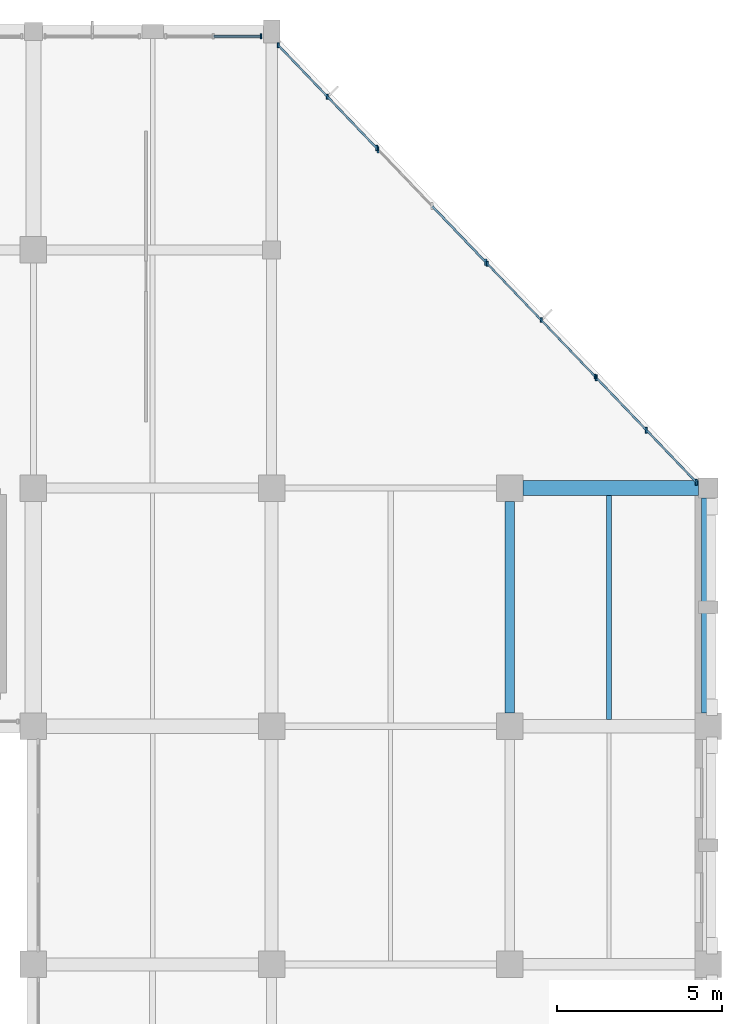
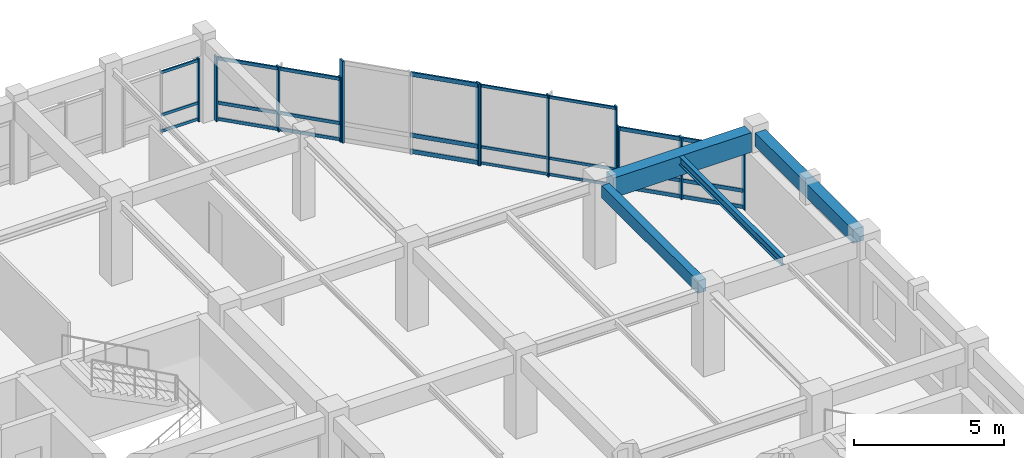
# One storey, part 41 of 74: 36 members, 4 beams, 5 elements without a shape of their own.
"""IFC4 building model written with IfcOpenShell, lengths in metres."""

from ifc_helpers import new_model, si_unit, direction, frame, origin, origin_2d, place, context, subcontext, project, spatial, rectangle, i_section, extrude, material, material_profile, profile_set, type_object, element, aggregate, save


model = new_model("IFC4")

# Units and contexts
model_context = context("Model", 3, precision=1e-05, world=origin(), true_north=direction((0.0, 1.0)))
body_context = subcontext(model_context, "Body", "Model", "MODEL_VIEW")
ifc_project = project(units=[si_unit("LENGTHUNIT", "METRE"), si_unit("AREAUNIT", "SQUARE_METRE"), si_unit("VOLUMEUNIT", "CUBIC_METRE"), si_unit("PLANEANGLEUNIT", "RADIAN"), si_unit("MASSUNIT", "GRAM", prefix="KILO")], contexts=[model_context])

# Site, building, storey
site_placement = place(None, origin())
site = spatial("IfcSite", under=ifc_project, at=site_placement, CompositionType="ELEMENT")
building_placement = place(site_placement, origin())
building = spatial("IfcBuilding", under=site, at=building_placement, Name="Clarverna Civic Hall", CompositionType="ELEMENT")
storey_placement = place(building_placement, frame((0.0, 0.0, 9.60009765625)))
storey = spatial("IfcBuildingStorey", under=building, at=storey_placement, Name="L02", CompositionType="ELEMENT", Elevation=9.60009765625)

# Beams
ifc_material_1 = material(Name="Concrete C35/45", Category="concrete")
ifc_material_profile_1 = material_profile(ifc_material_1, rectangle(XDim=0.300048828125, YDim=0.5, at=origin_2d()), Name="RC 300x500")
ifc_profile_set_1 = profile_set([ifc_material_profile_1], Name="Concrete C35/45")
beam_type_1 = type_object("IfcBeamType", Name="B-RC12", PredefinedType="BEAM", material=ifc_profile_set_1)
beam_1_placement = place(storey_placement, frame((162.0, 95.39990234375, 3.06982421875), z_axis=(0.0, 1.0, 0.0), x_axis=(-1.0, 0.0, 0.0)))
element("IfcBeam", 1, at=beam_1_placement, inside=storey, type_object=beam_type_1, Name="B-RC12-043", PredefinedType="BEAM", context=body_context, shape_type="SweptSolid", body=[
    extrude(rectangle(XDim=0.300048828125, YDim=0.5, at=origin_2d()), origin(), (0.0, 0.0, 1.0), 6.400146484375),
])
ifc_material_profile_2 = material_profile(ifc_material_1, rectangle(XDim=0.449951171875, YDim=0.800048828125, at=origin_2d()), Name="RC 450x800")
ifc_profile_set_2 = profile_set([ifc_material_profile_2], Name="Concrete C35/45")
beam_type_2 = type_object("IfcBeamType", Name="B-RC2", PredefinedType="BEAM", material=ifc_profile_set_2)
beam_2_placement = place(storey_placement, frame((162.39990234375, 102.199951171875, 2.919921875), z_axis=(1.0, 0.0, 0.0), x_axis=(0.0, 1.0, 0.0)))
element("IfcBeam", 2, at=beam_2_placement, inside=storey, type_object=beam_type_2, Name="B-RC2-026", PredefinedType="BEAM", context=body_context, shape_type="SweptSolid", body=[
    extrude(rectangle(XDim=0.449951171875, YDim=0.800048828125, at=origin_2d()), origin(), (0.0, 0.0, 1.0), 5.300048828125),
])
ifc_material_profile_3 = material_profile(ifc_material_1, rectangle(XDim=0.39990234375, YDim=0.56005859375, at=origin_2d()), Name="RC 400x560")
ifc_profile_set_3 = profile_set([ifc_material_profile_3], Name="Concrete C35/45")
beam_type_3 = type_object("IfcBeamType", Name="B-SP4", PredefinedType="SPANDREL", material=ifc_profile_set_3)
beam_3_placement = place(storey_placement, frame((168.0, 95.39990234375, 3.039794921875), z_axis=(0.0, 1.0, 0.0), x_axis=(-1.0, 0.0, 0.0)))
element("IfcBeam", 3, at=beam_3_placement, inside=storey, type_object=beam_type_3, Name="B-SP4-107", PredefinedType="SPANDREL", context=body_context, shape_type="SweptSolid", body=[
    extrude(rectangle(XDim=0.39990234375, YDim=0.56005859375, at=origin_2d()), origin(), (0.0, 0.0, 1.0), 6.5),
])

# Curtain wall, members
ifc_material_2 = material(Name="Anodised Bronze Architectural Aluminium", Category="aluminium")
curtain_wall_type = type_object("IfcCurtainWallType", Name="CW-01", PredefinedType="USERDEFINED", material=ifc_material_2)
curtain_wall_1_placement = place(storey_placement, origin())
curtain_wall_1 = element("IfcCurtainWall", 4, at=curtain_wall_1_placement, inside=storey, type_object=curtain_wall_type, Name="CW-01-043", ObjectType="UNITISED CURTAIN WALL", PredefinedType="USERDEFINED")
ifc_material_profile_4 = material_profile(ifc_material_2, rectangle(XDim=0.06005859375, YDim=0.179931640625, at=origin_2d()), Name="BRONZE 60x180")
ifc_profile_set_4 = profile_set([ifc_material_profile_4], Name="Anodised Bronze Architectural Aluminium")
member_type_1 = type_object("IfcMemberType", Name="CWM-01", PredefinedType="MULLION", material=ifc_profile_set_4)
member_1_placement = place(storey_placement, frame((164.62158203125, 105.529296875, 0.0), z_axis=(0.0, 0.0, 1.0), x_axis=(1.0, 0.0, 0.0)))
member_1 = element("IfcMember", 5, at=member_1_placement, type_object=member_type_1, Name="CWM-01-082", PredefinedType="MULLION", context=body_context, shape_type="SweptSolid", body=[
    extrude(rectangle(XDim=0.06005859375, YDim=0.179931640625, at=origin_2d()), origin(), (0.0, 0.0, 1.0), 2.52001953125),
])
member_2_placement = place(storey_placement, frame((166.12939453125, 103.952880859375, 0.0), z_axis=(0.0, 0.0, 1.0), x_axis=(1.0, 0.0, 0.0)))
member_2 = element("IfcMember", 6, at=member_2_placement, type_object=member_type_1, Name="CWM-01-083", PredefinedType="MULLION", context=body_context, shape_type="SweptSolid", body=[
    extrude(rectangle(XDim=0.06005859375, YDim=0.179931640625, at=origin_2d()), origin(), (0.0, 0.0, 1.0), 2.52001953125),
])
member_3_placement = place(storey_placement, frame((167.63720703125, 102.376708984375, 0.0), z_axis=(0.0, 0.0, 1.0), x_axis=(1.0, 0.0, 0.0)))
member_3 = element("IfcMember", 7, at=member_3_placement, type_object=member_type_1, Name="CWM-01-084", PredefinedType="MULLION", context=body_context, shape_type="SweptSolid", body=[
    extrude(rectangle(XDim=0.06005859375, YDim=0.179931640625, at=origin_2d()), origin(), (0.0, 0.0, 1.0), 2.52001953125),
])

curtain_wall_2_placement = place(storey_placement, origin())
curtain_wall_2 = element("IfcCurtainWall", 8, at=curtain_wall_2_placement, inside=storey, type_object=curtain_wall_type, Name="CW-01-040", ObjectType="UNITISED CURTAIN WALL", PredefinedType="USERDEFINED")
ifc_material_profile_5 = material_profile(ifc_material_2, rectangle(XDim=0.06005859375, YDim=0.159912109375, at=origin_2d()), Name="BRONZE 60x160")
ifc_profile_set_5 = profile_set([ifc_material_profile_5], Name="Anodised Bronze Architectural Aluminium")
member_type_2 = type_object("IfcMemberType", Name="CWM-02", PredefinedType="MULLION", material=ifc_profile_set_5)
member_4_placement = place(storey_placement, frame((155.002197265625, 115.586181640625, 0.0), z_axis=(0.0, 0.0, 1.0), x_axis=(1.0, 0.0, 0.0)))
member_4 = element("IfcMember", 9, at=member_4_placement, type_object=member_type_2, Name="CWM-02-107", PredefinedType="MULLION", context=body_context, shape_type="SweptSolid", body=[
    extrude(rectangle(XDim=0.06005859375, YDim=0.159912109375, at=origin_2d()), origin(), (0.0, 0.0, 1.0), 2.639892578125),
])
member_5_placement = place(storey_placement, frame((156.489013671875, 114.031494140625, 0.0), z_axis=(0.0, 0.0, 1.0), x_axis=(1.0, 0.0, 0.0)))
member_5 = element("IfcMember", 10, at=member_5_placement, type_object=member_type_2, Name="CWM-02-108", PredefinedType="MULLION", context=body_context, shape_type="SweptSolid", body=[
    extrude(rectangle(XDim=0.06005859375, YDim=0.159912109375, at=origin_2d()), origin(), (0.0, 0.0, 1.0), 2.639892578125),
])
member_6_placement = place(storey_placement, frame((157.97607421875, 112.47705078125, 0.0), z_axis=(0.0, 0.0, 1.0), x_axis=(1.0, 0.0, 0.0)))
member_6 = element("IfcMember", 11, at=member_6_placement, type_object=member_type_2, Name="CWM-02-109", PredefinedType="MULLION", context=body_context, shape_type="SweptSolid", body=[
    extrude(rectangle(XDim=0.06005859375, YDim=0.159912109375, at=origin_2d()), origin(), (0.0, 0.0, 1.0), 2.639892578125),
])

curtain_wall_3_placement = place(storey_placement, origin())
curtain_wall_3 = element("IfcCurtainWall", 12, at=curtain_wall_3_placement, inside=storey, type_object=curtain_wall_type, Name="CW-01-041", ObjectType="UNITISED CURTAIN WALL", PredefinedType="USERDEFINED")
ifc_material_profile_6 = material_profile(ifc_material_2, rectangle(XDim=0.06494140625, YDim=0.199951171875, at=origin_2d()), Name="BRONZE 65x200")
ifc_profile_set_6 = profile_set([ifc_material_profile_6], Name="Anodised Bronze Architectural Aluminium")
member_type_3 = type_object("IfcMemberType", Name="CWM-03", PredefinedType="MULLION", material=ifc_profile_set_6)
member_7_placement = place(storey_placement, frame((158.021484375, 112.429443359375, 0.0), z_axis=(0.0, 0.0, 1.0), x_axis=(1.0, 0.0, 0.0)))
member_7 = element("IfcMember", 13, at=member_7_placement, type_object=member_type_3, Name="CWM-03-082", PredefinedType="MULLION", context=body_context, shape_type="SweptSolid", body=[
    extrude(rectangle(XDim=0.06494140625, YDim=0.199951171875, at=origin_2d()), origin(), (0.0, 0.0, 1.0), 3.31982421875),
])
member_8_placement = place(storey_placement, frame((161.27587890625, 109.027099609375, 0.0), z_axis=(0.0, 0.0, 1.0), x_axis=(1.0, 0.0, 0.0)))
member_8 = element("IfcMember", 14, at=member_8_placement, type_object=member_type_3, Name="CWM-03-084", PredefinedType="MULLION", context=body_context, shape_type="SweptSolid", body=[
    extrude(rectangle(XDim=0.06494140625, YDim=0.199951171875, at=origin_2d()), origin(), (0.0, 0.0, 1.0), 3.31982421875),
])

# Curtain wall, member
curtain_wall_4_placement = place(storey_placement, origin())
curtain_wall_4 = element("IfcCurtainWall", 15, at=curtain_wall_4_placement, inside=storey, type_object=curtain_wall_type, Name="CW-01-039", ObjectType="UNITISED CURTAIN WALL", PredefinedType="USERDEFINED")
ifc_material_profile_7 = material_profile(ifc_material_2, rectangle(XDim=0.054931640625, YDim=0.139892578125, at=origin_2d()), Name="BRONZE 55x140")
ifc_profile_set_7 = profile_set([ifc_material_profile_7], Name="Anodised Bronze Architectural Aluminium")
member_type_4 = type_object("IfcMemberType", Name="CWM-04", PredefinedType="MULLION", material=ifc_profile_set_7)
member_9_placement = place(storey_placement, frame((154.47705078125, 115.860107421875, 0.0), z_axis=(0.0, 0.0, 1.0), x_axis=(1.0, 0.0, 0.0)))
member_9 = element("IfcMember", 16, at=member_9_placement, type_object=member_type_4, Name="CWM-04-110", PredefinedType="MULLION", context=body_context, shape_type="SweptSolid", body=[
    extrude(rectangle(XDim=0.054931640625, YDim=0.139892578125, at=origin_2d()), origin(), (0.0, 0.0, 1.0), 2.56982421875),
])

# Curtain wall, members
curtain_wall_5_placement = place(storey_placement, origin())
curtain_wall_5 = element("IfcCurtainWall", 17, at=curtain_wall_5_placement, inside=storey, type_object=curtain_wall_type, Name="CW-01-042", ObjectType="UNITISED CURTAIN WALL", PredefinedType="USERDEFINED")
member_10_placement = place(storey_placement, frame((161.321533203125, 108.9794921875, 0.0), z_axis=(0.0, 0.0, 1.0), x_axis=(1.0, 0.0, 0.0)))
member_10 = element("IfcMember", 18, at=member_10_placement, type_object=member_type_4, Name="CWM-04-111", PredefinedType="MULLION", context=body_context, shape_type="SweptSolid", body=[
    extrude(rectangle(XDim=0.054931640625, YDim=0.139892578125, at=origin_2d()), origin(), (0.0, 0.0, 1.0), 3.31982421875),
])
member_11_placement = place(storey_placement, frame((162.94873046875, 107.2783203125, 0.0), z_axis=(0.0, 0.0, 1.0), x_axis=(1.0, 0.0, 0.0)))
member_11 = element("IfcMember", 19, at=member_11_placement, type_object=member_type_4, Name="CWM-04-112", PredefinedType="MULLION", context=body_context, shape_type="SweptSolid", body=[
    extrude(rectangle(XDim=0.054931640625, YDim=0.139892578125, at=origin_2d()), origin(), (0.0, 0.0, 1.0), 3.31982421875),
])
member_12_placement = place(storey_placement, frame((164.575927734375, 105.576904296875, 0.0), z_axis=(0.0, 0.0, 1.0), x_axis=(1.0, 0.0, 0.0)))
member_12 = element("IfcMember", 20, at=member_12_placement, type_object=member_type_4, Name="CWM-04-113", PredefinedType="MULLION", context=body_context, shape_type="SweptSolid", body=[
    extrude(rectangle(XDim=0.054931640625, YDim=0.139892578125, at=origin_2d()), origin(), (0.0, 0.0, 1.0), 3.31982421875),
])

# Member
ifc_material_profile_8 = material_profile(ifc_material_2, rectangle(XDim=0.06005859375, YDim=0.14990234375, at=origin_2d()), Name="BRONZE 60x150")
ifc_profile_set_8 = profile_set([ifc_material_profile_8], Name="Anodised Bronze Architectural Aluminium")
member_type_5 = type_object("IfcMemberType", Name="CWT-01", PredefinedType="USERDEFINED", material=ifc_profile_set_8)
member_13_placement = place(storey_placement, frame((164.632080078125, 105.5185546875, 0.094970703125), z_axis=(0.691155646776, -0.722705937384, 0.0), x_axis=(0.722705937384, 0.691155646776, 0.0)))
member_13 = element("IfcMember", 21, at=member_13_placement, type_object=member_type_5, Name="CWT-01-172", ObjectType="TRANSOM", PredefinedType="USERDEFINED", context=body_context, shape_type="SweptSolid", body=[
    extrude(rectangle(XDim=0.06005859375, YDim=0.14990234375, at=origin_2d()), origin(), (0.0, 0.0, 1.0), 2.151123046875),
])

member_14_placement = place(storey_placement, frame((164.632080078125, 105.5185546875, 0.75), z_axis=(0.691155646776, -0.722705937384, 0.0), x_axis=(0.722705937384, 0.691155646776, 0.0)))
member_14 = element("IfcMember", 22, at=member_14_placement, type_object=member_type_5, Name="CWT-01-173", ObjectType="TRANSOM", PredefinedType="USERDEFINED", context=body_context, shape_type="SweptSolid", body=[
    extrude(rectangle(XDim=0.06005859375, YDim=0.14990234375, at=origin_2d()), origin(), (0.0, 0.0, 1.0), 2.151123046875),
])

member_15_placement = place(storey_placement, frame((164.632080078125, 105.5185546875, 2.4248046875), z_axis=(0.691155646776, -0.722705937384, 0.0), x_axis=(0.722705937384, 0.691155646776, 0.0)))
member_15 = element("IfcMember", 23, at=member_15_placement, type_object=member_type_5, Name="CWT-01-174", ObjectType="TRANSOM", PredefinedType="USERDEFINED", context=body_context, shape_type="SweptSolid", body=[
    extrude(rectangle(XDim=0.06005859375, YDim=0.14990234375, at=origin_2d()), origin(), (0.0, 0.0, 1.0), 2.151123046875),
])

member_16_placement = place(storey_placement, frame((166.139892578125, 103.942138671875, 0.094970703125), z_axis=(0.691155646776, -0.722705937384, 0.0), x_axis=(0.722705937384, 0.691155646776, 0.0)))
member_16 = element("IfcMember", 24, at=member_16_placement, type_object=member_type_5, Name="CWT-01-175", ObjectType="TRANSOM", PredefinedType="USERDEFINED", context=body_context, shape_type="SweptSolid", body=[
    extrude(rectangle(XDim=0.06005859375, YDim=0.14990234375, at=origin_2d()), origin(), (0.0, 0.0, 1.0), 2.151123046875),
])

member_17_placement = place(storey_placement, frame((166.139892578125, 103.942138671875, 0.75), z_axis=(0.691155646776, -0.722705937384, 0.0), x_axis=(0.722705937384, 0.691155646776, 0.0)))
member_17 = element("IfcMember", 25, at=member_17_placement, type_object=member_type_5, Name="CWT-01-176", ObjectType="TRANSOM", PredefinedType="USERDEFINED", context=body_context, shape_type="SweptSolid", body=[
    extrude(rectangle(XDim=0.06005859375, YDim=0.14990234375, at=origin_2d()), origin(), (0.0, 0.0, 1.0), 2.151123046875),
])

member_18_placement = place(storey_placement, frame((166.139892578125, 103.942138671875, 2.4248046875), z_axis=(0.691155646776, -0.722705937384, 0.0), x_axis=(0.722705937384, 0.691155646776, 0.0)))
member_18 = element("IfcMember", 26, at=member_18_placement, type_object=member_type_5, Name="CWT-01-177", ObjectType="TRANSOM", PredefinedType="USERDEFINED", context=body_context, shape_type="SweptSolid", body=[
    extrude(rectangle(XDim=0.06005859375, YDim=0.14990234375, at=origin_2d()), origin(), (0.0, 0.0, 1.0), 2.151123046875),
])

aggregate(curtain_wall_1, [member_1, member_2, member_3, member_13, member_14, member_15, member_16, member_17, member_18])

ifc_material_profile_9 = material_profile(ifc_material_2, rectangle(XDim=0.06005859375, YDim=0.1298828125, at=origin_2d()), Name="BRONZE 60x130")
ifc_profile_set_9 = profile_set([ifc_material_profile_9], Name="Anodised Bronze Architectural Aluminium")
member_type_6 = type_object("IfcMemberType", Name="CWT-02", PredefinedType="USERDEFINED", material=ifc_profile_set_9)
member_19_placement = place(storey_placement, frame((155.012451171875, 115.575439453125, 0.094970703125), z_axis=(0.691222645967, -0.722641857148, 0.0), x_axis=(0.722641857148, 0.691222645967, 0.0)))
member_19 = element("IfcMember", 27, at=member_19_placement, type_object=member_type_6, Name="CWT-02-223", ObjectType="TRANSOM", PredefinedType="USERDEFINED", context=body_context, shape_type="SweptSolid", body=[
    extrude(rectangle(XDim=0.06005859375, YDim=0.1298828125, at=origin_2d()), origin(), (0.0, 0.0, 1.0), 2.121337890625),
])

member_20_placement = place(storey_placement, frame((155.012451171875, 115.575439453125, 0.75), z_axis=(0.691222645967, -0.722641857148, 0.0), x_axis=(0.722641857148, 0.691222645967, 0.0)))
member_20 = element("IfcMember", 28, at=member_20_placement, type_object=member_type_6, Name="CWT-02-224", ObjectType="TRANSOM", PredefinedType="USERDEFINED", context=body_context, shape_type="SweptSolid", body=[
    extrude(rectangle(XDim=0.06005859375, YDim=0.1298828125, at=origin_2d()), origin(), (0.0, 0.0, 1.0), 2.121337890625),
])

member_21_placement = place(storey_placement, frame((155.012451171875, 115.575439453125, 2.544921875), z_axis=(0.691222645967, -0.722641857148, 0.0), x_axis=(0.722641857148, 0.691222645967, 0.0)))
member_21 = element("IfcMember", 29, at=member_21_placement, type_object=member_type_6, Name="CWT-02-225", ObjectType="TRANSOM", PredefinedType="USERDEFINED", context=body_context, shape_type="SweptSolid", body=[
    extrude(rectangle(XDim=0.06005859375, YDim=0.1298828125, at=origin_2d()), origin(), (0.0, 0.0, 1.0), 2.121337890625),
])

member_22_placement = place(storey_placement, frame((156.49951171875, 114.020751953125, 0.094970703125), z_axis=(0.691162538188, -0.722699346758, 0.0), x_axis=(0.722699346758, 0.691162538188, 0.0)))
member_22 = element("IfcMember", 30, at=member_22_placement, type_object=member_type_6, Name="CWT-02-226", ObjectType="TRANSOM", PredefinedType="USERDEFINED", context=body_context, shape_type="SweptSolid", body=[
    extrude(rectangle(XDim=0.06005859375, YDim=0.1298828125, at=origin_2d()), origin(), (0.0, 0.0, 1.0), 2.12109375),
])

member_23_placement = place(storey_placement, frame((156.49951171875, 114.020751953125, 0.75), z_axis=(0.691162538188, -0.722699346758, 0.0), x_axis=(0.722699346758, 0.691162538188, 0.0)))
member_23 = element("IfcMember", 31, at=member_23_placement, type_object=member_type_6, Name="CWT-02-227", ObjectType="TRANSOM", PredefinedType="USERDEFINED", context=body_context, shape_type="SweptSolid", body=[
    extrude(rectangle(XDim=0.06005859375, YDim=0.1298828125, at=origin_2d()), origin(), (0.0, 0.0, 1.0), 2.12109375),
])

member_24_placement = place(storey_placement, frame((156.49951171875, 114.020751953125, 2.544921875), z_axis=(0.691162538188, -0.722699346758, 0.0), x_axis=(0.722699346758, 0.691162538188, 0.0)))
member_24 = element("IfcMember", 32, at=member_24_placement, type_object=member_type_6, Name="CWT-02-228", ObjectType="TRANSOM", PredefinedType="USERDEFINED", context=body_context, shape_type="SweptSolid", body=[
    extrude(rectangle(XDim=0.06005859375, YDim=0.1298828125, at=origin_2d()), origin(), (0.0, 0.0, 1.0), 2.12109375),
])

aggregate(curtain_wall_2, [member_4, member_5, member_6, member_19, member_20, member_21, member_22, member_23, member_24])

ifc_material_profile_10 = material_profile(ifc_material_2, rectangle(XDim=0.06494140625, YDim=0.169921875, at=origin_2d()), Name="BRONZE 65x170")
ifc_profile_set_10 = profile_set([ifc_material_profile_10], Name="Anodised Bronze Architectural Aluminium")
member_type_7 = type_object("IfcMemberType", Name="CWT-03", PredefinedType="USERDEFINED", material=ifc_profile_set_10)
member_25_placement = place(storey_placement, frame((159.6591796875, 110.71728515625, 0.094970703125), z_axis=(0.691227416228, -0.72263729426, 0.0), x_axis=(0.72263729426, 0.691227416228, 0.0)))
member_25 = element("IfcMember", 33, at=member_25_placement, type_object=member_type_7, Name="CWT-03-175", ObjectType="TRANSOM", PredefinedType="USERDEFINED", context=body_context, shape_type="SweptSolid", body=[
    extrude(rectangle(XDim=0.06494140625, YDim=0.169921875, at=origin_2d()), origin(), (0.0, 0.0, 1.0), 2.323974609375),
])

member_26_placement = place(storey_placement, frame((159.6591796875, 110.71728515625, 0.75), z_axis=(0.691227416228, -0.72263729426, 0.0), x_axis=(0.72263729426, 0.691227416228, 0.0)))
member_26 = element("IfcMember", 34, at=member_26_placement, type_object=member_type_7, Name="CWT-03-176", ObjectType="TRANSOM", PredefinedType="USERDEFINED", context=body_context, shape_type="SweptSolid", body=[
    extrude(rectangle(XDim=0.06494140625, YDim=0.169921875, at=origin_2d()), origin(), (0.0, 0.0, 1.0), 2.323974609375),
])

member_27_placement = place(storey_placement, frame((159.6591796875, 110.71728515625, 3.224853515625), z_axis=(0.691227416228, -0.72263729426, 0.0), x_axis=(0.72263729426, 0.691227416228, 0.0)))
member_27 = element("IfcMember", 35, at=member_27_placement, type_object=member_type_7, Name="CWT-03-177", ObjectType="TRANSOM", PredefinedType="USERDEFINED", context=body_context, shape_type="SweptSolid", body=[
    extrude(rectangle(XDim=0.06494140625, YDim=0.169921875, at=origin_2d()), origin(), (0.0, 0.0, 1.0), 2.323974609375),
])

aggregate(curtain_wall_3, [member_7, member_8, member_25, member_26, member_27])

ifc_material_profile_11 = material_profile(ifc_material_2, rectangle(XDim=0.054931640625, YDim=0.110107421875, at=origin_2d()), Name="BRONZE 55x110")
ifc_profile_set_11 = profile_set([ifc_material_profile_11], Name="Anodised Bronze Architectural Aluminium")
member_type_8 = type_object("IfcMemberType", Name="CWT-04", PredefinedType="USERDEFINED", material=ifc_profile_set_11)
member_28_placement = place(storey_placement, frame((153.052490234375, 115.860107421875, 0.094970703125), z_axis=(1.0, 0.0, 0.0), x_axis=(0.0, 1.0, 0.0)))
member_28 = element("IfcMember", 36, at=member_28_placement, type_object=member_type_8, Name="CWT-04-229", ObjectType="TRANSOM", PredefinedType="USERDEFINED", context=body_context, shape_type="SweptSolid", body=[
    extrude(rectangle(XDim=0.054931640625, YDim=0.110107421875, at=origin_2d()), origin(), (0.0, 0.0, 1.0), 1.409423828125),
])

member_29_placement = place(storey_placement, frame((153.052490234375, 115.860107421875, 0.75), z_axis=(1.0, 0.0, 0.0), x_axis=(0.0, 1.0, 0.0)))
member_29 = element("IfcMember", 37, at=member_29_placement, type_object=member_type_8, Name="CWT-04-230", ObjectType="TRANSOM", PredefinedType="USERDEFINED", context=body_context, shape_type="SweptSolid", body=[
    extrude(rectangle(XDim=0.054931640625, YDim=0.110107421875, at=origin_2d()), origin(), (0.0, 0.0, 1.0), 1.409423828125),
])

member_30_placement = place(storey_placement, frame((153.052490234375, 115.860107421875, 2.474853515625), z_axis=(1.0, 0.0, 0.0), x_axis=(0.0, 1.0, 0.0)))
member_30 = element("IfcMember", 38, at=member_30_placement, type_object=member_type_8, Name="CWT-04-231", ObjectType="TRANSOM", PredefinedType="USERDEFINED", context=body_context, shape_type="SweptSolid", body=[
    extrude(rectangle(XDim=0.054931640625, YDim=0.110107421875, at=origin_2d()), origin(), (0.0, 0.0, 1.0), 1.409423828125),
])

aggregate(curtain_wall_4, [member_9, member_28, member_29, member_30])

member_31_placement = place(storey_placement, frame((161.33203125, 108.968505859375, 0.094970703125), z_axis=(0.691227416228, -0.72263729426, 0.0), x_axis=(0.72263729426, 0.691227416228, 0.0)))
member_31 = element("IfcMember", 39, at=member_31_placement, type_object=member_type_8, Name="CWT-04-232", ObjectType="TRANSOM", PredefinedType="USERDEFINED", context=body_context, shape_type="SweptSolid", body=[
    extrude(rectangle(XDim=0.054931640625, YDim=0.110107421875, at=origin_2d()), origin(), (0.0, 0.0, 1.0), 2.323974609375),
])

member_32_placement = place(storey_placement, frame((161.33203125, 108.968505859375, 0.75), z_axis=(0.691227416228, -0.72263729426, 0.0), x_axis=(0.72263729426, 0.691227416228, 0.0)))
member_32 = element("IfcMember", 40, at=member_32_placement, type_object=member_type_8, Name="CWT-04-233", ObjectType="TRANSOM", PredefinedType="USERDEFINED", context=body_context, shape_type="SweptSolid", body=[
    extrude(rectangle(XDim=0.054931640625, YDim=0.110107421875, at=origin_2d()), origin(), (0.0, 0.0, 1.0), 2.323974609375),
])

member_33_placement = place(storey_placement, frame((161.33203125, 108.968505859375, 3.224853515625), z_axis=(0.691227416228, -0.72263729426, 0.0), x_axis=(0.72263729426, 0.691227416228, 0.0)))
member_33 = element("IfcMember", 41, at=member_33_placement, type_object=member_type_8, Name="CWT-04-234", ObjectType="TRANSOM", PredefinedType="USERDEFINED", context=body_context, shape_type="SweptSolid", body=[
    extrude(rectangle(XDim=0.054931640625, YDim=0.110107421875, at=origin_2d()), origin(), (0.0, 0.0, 1.0), 2.323974609375),
])

member_34_placement = place(storey_placement, frame((162.959228515625, 107.267333984375, 0.094970703125), z_axis=(0.691227416228, -0.72263729426, 0.0), x_axis=(0.72263729426, 0.691227416228, 0.0)))
member_34 = element("IfcMember", 42, at=member_34_placement, type_object=member_type_8, Name="CWT-04-235", ObjectType="TRANSOM", PredefinedType="USERDEFINED", context=body_context, shape_type="SweptSolid", body=[
    extrude(rectangle(XDim=0.054931640625, YDim=0.110107421875, at=origin_2d()), origin(), (0.0, 0.0, 1.0), 2.323974609375),
])

member_35_placement = place(storey_placement, frame((162.959228515625, 107.267333984375, 0.75), z_axis=(0.691227416228, -0.72263729426, 0.0), x_axis=(0.72263729426, 0.691227416228, 0.0)))
member_35 = element("IfcMember", 43, at=member_35_placement, type_object=member_type_8, Name="CWT-04-236", ObjectType="TRANSOM", PredefinedType="USERDEFINED", context=body_context, shape_type="SweptSolid", body=[
    extrude(rectangle(XDim=0.054931640625, YDim=0.110107421875, at=origin_2d()), origin(), (0.0, 0.0, 1.0), 2.323974609375),
])

member_36_placement = place(storey_placement, frame((162.959228515625, 107.267333984375, 3.224853515625), z_axis=(0.691227416228, -0.72263729426, 0.0), x_axis=(0.72263729426, 0.691227416228, 0.0)))
member_36 = element("IfcMember", 44, at=member_36_placement, type_object=member_type_8, Name="CWT-04-237", ObjectType="TRANSOM", PredefinedType="USERDEFINED", context=body_context, shape_type="SweptSolid", body=[
    extrude(rectangle(XDim=0.054931640625, YDim=0.110107421875, at=origin_2d()), origin(), (0.0, 0.0, 1.0), 2.323974609375),
])

aggregate(curtain_wall_5, [member_10, member_11, member_12, member_31, member_32, member_33, member_34, member_35, member_36])

# Beam
ifc_material_3 = material(Name="Steel S355", Category="steel")
ifc_material_profile_12 = material_profile(ifc_material_3, i_section(OverallWidth=0.159912109375, OverallDepth=0.330078125, WebThickness=0.007568359375, FlangeThickness=0.011474609375, FilletRadius=0.01806640625, at=origin_2d()), Name="IPE 330")
ifc_profile_set_12 = profile_set([ifc_material_profile_12], Name="Steel S355")
beam_type_4 = type_object("IfcBeamType", Name="J-ST2", PredefinedType="JOIST", material=ifc_profile_set_12)
beam_4_placement = place(storey_placement, frame((165.0, 95.199951171875, 3.15478515625), z_axis=(0.0, 1.0, 0.0), x_axis=(-1.0, 0.0, 0.0)))
element("IfcBeam", 45, at=beam_4_placement, inside=storey, type_object=beam_type_4, Name="J-ST2-057", PredefinedType="JOIST", context=body_context, shape_type="SweptSolid", body=[
    extrude(i_section(OverallWidth=0.159912109375, OverallDepth=0.330078125, WebThickness=0.007568359375, FlangeThickness=0.011474609375, FilletRadius=0.01806640625, at=origin_2d()), origin(), (0.0, 0.0, 1.0), 6.775146484375),
])

save(model, "model.ifc")
